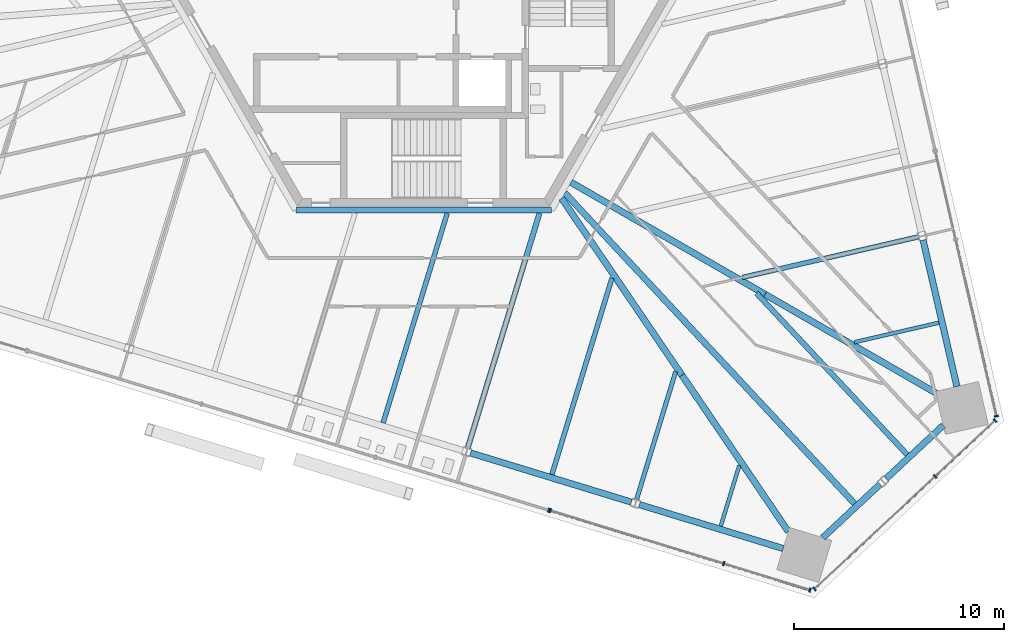
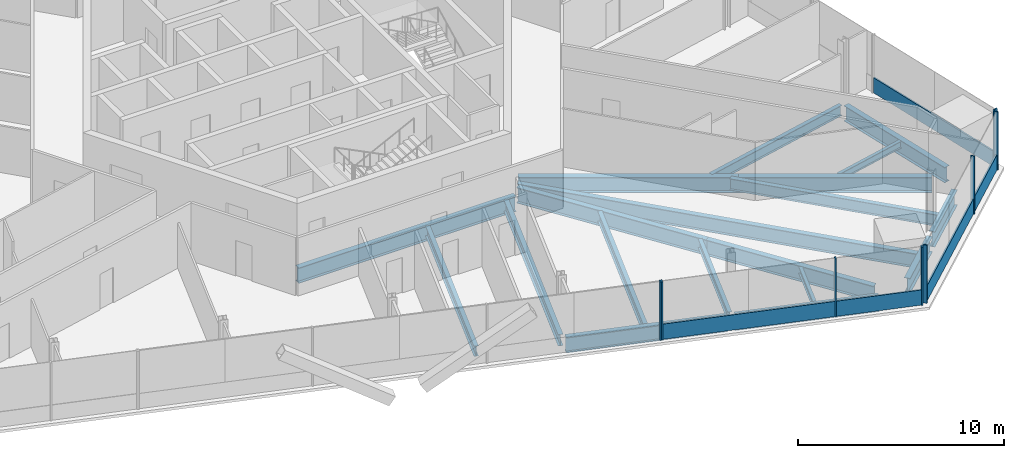
# One storey, part 6 of 20: 19 beams, 13 members, 4 elements without a shape of their own.
"""IFC4 building model written with IfcOpenShell, lengths in metres."""

from ifc_helpers import new_model, si_unit, direction, frame, origin, origin_2d, place, context, subcontext, project, spatial, rectangle, i_section, extrude, source, transform, mapped, material, material_profile, profile_set, type_object, element, aggregate, save


model = new_model("IFC4")

# Units and contexts
model_context = context("Model", 3, precision=1e-05, world=origin(), true_north=direction((0.0, 1.0)))
body_context = subcontext(model_context, "Body", "Model", "MODEL_VIEW")
ifc_project = project(units=[si_unit("LENGTHUNIT", "METRE"), si_unit("AREAUNIT", "SQUARE_METRE"), si_unit("VOLUMEUNIT", "CUBIC_METRE"), si_unit("PLANEANGLEUNIT", "RADIAN"), si_unit("MASSUNIT", "GRAM", prefix="KILO")], contexts=[model_context])

# Site, building, storey
site_placement = place(None, origin())
site = spatial("IfcSite", under=ifc_project, at=site_placement, CompositionType="ELEMENT")
building_placement = place(site_placement, origin())
building = spatial("IfcBuilding", under=site, at=building_placement, Name="Triune Harvest Tower", CompositionType="ELEMENT")
storey_placement = place(building_placement, frame((0.0, 0.0, 116.300048828125)))
storey = spatial("IfcBuildingStorey", under=building, at=storey_placement, Name="L29", CompositionType="ELEMENT", Elevation=116.300048828125)

# Beams
ifc_material_1 = material(Name="Steel ASTM A992 Gr 50", Category="steel")
ifc_material_profile_1 = material_profile(ifc_material_1, i_section(OverallWidth=0.3046875, OverallDepth=0.914306640625, WebThickness=0.0166015625, FlangeThickness=0.02587890625, at=origin_2d()), Name="W36x160")
ifc_profile_set_1 = profile_set([ifc_material_profile_1], Name="Steel ASTM A992 Gr 50")
beam_type_1 = type_object("IfcBeamType", Name="CG-1 Core ring girder W36x160", PredefinedType="BEAM", material=ifc_profile_set_1)
shared_shape_1 = source(origin(), body_context, "Body", "SweptSolid", [
    extrude(i_section(OverallWidth=0.3046875, OverallDepth=0.914306640625, WebThickness=0.0166015625, FlangeThickness=0.02587890625, at=origin_2d()), origin(), (0.0, 0.0, 1.0), 12.17578125),
])
beam_1_placement = place(storey_placement, frame((-6.087890625, -10.544677734375, -0.6171875), z_axis=(1.0, 0.0, 0.0), x_axis=(0.0, 1.0, 0.0)))
element("IfcBeam", 1, at=beam_1_placement, inside=storey, type_object=beam_type_1, Name="beam/L29/CG5", PredefinedType="BEAM", context=body_context, shape_type="MappedRepresentation", body=[
    mapped(shared_shape_1, transform((0.0, 0.0, 0.0), scale=1.0)),
])
ifc_material_2 = material(Name="Steel ASTM A992 Gr 50", Category="steel")
ifc_material_profile_2 = material_profile(ifc_material_2, i_section(OverallWidth=0.307373046875, OverallDepth=0.922119140625, WebThickness=0.018310546875, FlangeThickness=0.030029296875, at=origin_2d()), Name="W36x182")
ifc_profile_set_2 = profile_set([ifc_material_profile_2], Name="Steel ASTM A992 Gr 50")
beam_type_2 = type_object("IfcBeamType", Name="HG-2 Hip girder W36x182", PredefinedType="BEAM", material=ifc_profile_set_2)
shared_shape_2 = source(origin(), body_context, "Body", "SweptSolid", [
    extrude(i_section(OverallWidth=0.307373046875, OverallDepth=0.922119140625, WebThickness=0.018310546875, FlangeThickness=0.030029296875, at=origin_2d()), origin(), (0.0, 0.0, 1.0), 10.681640625),
])
beam_2_placement = place(storey_placement, frame((16.27587890625, -14.56640625, -0.62109375), z_axis=(-0.866023441189, 0.500003399299, 0.0), x_axis=(-0.500003399299, -0.866023441189, 0.0)))
element("IfcBeam", 2, at=beam_2_placement, inside=storey, type_object=beam_type_2, Name="beam/L29/HG2", PredefinedType="BEAM", context=body_context, shape_type="MappedRepresentation", body=[
    mapped(shared_shape_2, transform((0.0, 0.0, 0.0), scale=1.0)),
])
shared_shape_3 = source(origin(), body_context, "Body", "SweptSolid", [
    extrude(i_section(OverallWidth=0.307373046875, OverallDepth=0.922119140625, WebThickness=0.018310546875, FlangeThickness=0.030029296875, at=origin_2d()), origin(), (0.0, 0.0, 1.0), 10.194091796875),
])
beam_3_placement = place(storey_placement, frame((12.31640625, -18.4208984375, -0.62109375), z_axis=(-0.562397141719, 0.826867253545, 0.0), x_axis=(-0.826867253545, -0.562397141719, 0.0)))
element("IfcBeam", 3, at=beam_3_placement, inside=storey, type_object=beam_type_2, Name="beam/L29/HG8", PredefinedType="BEAM", context=body_context, shape_type="MappedRepresentation", body=[
    mapped(shared_shape_3, transform((0.0, 0.0, 0.0), scale=1.0)),
])
ifc_material_3 = material(Name="Steel ASTM A992 Gr 50", Category="steel")
ifc_material_profile_3 = material_profile(ifc_material_3, i_section(OverallWidth=0.3046875, OverallDepth=0.914306640625, WebThickness=0.0166015625, FlangeThickness=0.02587890625, at=origin_2d()), Name="W36x160")
ifc_profile_set_3 = profile_set([ifc_material_profile_3], Name="Steel ASTM A992 Gr 50")
beam_type_3 = type_object("IfcBeamType", Name="SB-1 Spandrel beam W36x160", PredefinedType="SPANDREL", material=ifc_profile_set_3)
shared_shape_4 = source(origin(), body_context, "Body", "SweptSolid", [
    extrude(i_section(OverallWidth=0.3046875, OverallDepth=0.914306640625, WebThickness=0.0166015625, FlangeThickness=0.02587890625, at=origin_2d()), origin(), (0.0, 0.0, 1.0), 7.166259765625),
])
beam_4_placement = place(storey_placement, frame((25.42236328125, -18.96044921875, -0.6171875), z_axis=(-0.224949077026, 0.974370521283, 0.0), x_axis=(-0.974370521283, -0.224949077026, 0.0)))
element("IfcBeam", 4, at=beam_4_placement, inside=storey, type_object=beam_type_3, Name="beam/L29/SB1", PredefinedType="SPANDREL", context=body_context, shape_type="MappedRepresentation", body=[
    mapped(shared_shape_4, transform((0.0, 0.0, 0.0), scale=1.0)),
])
shared_shape_5 = source(origin(), body_context, "Body", "SweptSolid", [
    extrude(i_section(OverallWidth=0.3046875, OverallDepth=0.914306640625, WebThickness=0.0166015625, FlangeThickness=0.02587890625, at=origin_2d()), origin(), (0.0, 0.0, 1.0), 8.01806640625),
])
beam_5_placement = place(storey_placement, frame((2.240966796875, -22.127685546875, -0.6171875), z_axis=(0.956305466934, -0.292369379231, 0.0), x_axis=(0.292369379231, 0.956305466934, 0.0)))
element("IfcBeam", 5, at=beam_5_placement, inside=storey, type_object=beam_type_3, Name="beam/L29/SB21", PredefinedType="SPANDREL", context=body_context, shape_type="MappedRepresentation", body=[
    mapped(shared_shape_5, transform((0.0, 0.0, 0.0), scale=1.0)),
])
shared_shape_6 = source(origin(), body_context, "Body", "SweptSolid", [
    extrude(i_section(OverallWidth=0.3046875, OverallDepth=0.914306640625, WebThickness=0.0166015625, FlangeThickness=0.02587890625, at=origin_2d()), origin(), (0.0, 0.0, 1.0), 7.16650390625),
])
beam_6_placement = place(storey_placement, frame((10.287841796875, -24.587646484375, -0.6171875), z_axis=(0.956296811344, -0.292397689137, 0.0), x_axis=(0.292397689137, 0.956296811344, 0.0)))
element("IfcBeam", 6, at=beam_6_placement, inside=storey, type_object=beam_type_3, Name="beam/L29/SB22", PredefinedType="SPANDREL", context=body_context, shape_type="MappedRepresentation", body=[
    mapped(shared_shape_6, transform((0.0, 0.0, 0.0), scale=1.0)),
])
shared_shape_7 = source(origin(), body_context, "Body", "SweptSolid", [
    extrude(i_section(OverallWidth=0.3046875, OverallDepth=0.914306640625, WebThickness=0.0166015625, FlangeThickness=0.02587890625, at=origin_2d()), origin(), (0.0, 0.0, 1.0), 3.72607421875),
])
beam_7_placement = place(storey_placement, frame((19.03173828125, -26.1630859375, -0.6171875), z_axis=(0.731344988612, 0.682007703499, 0.0), x_axis=(-0.682007703499, 0.731344988612, 0.0)))
element("IfcBeam", 7, at=beam_7_placement, inside=storey, type_object=beam_type_3, Name="beam/L29/SB23", PredefinedType="SPANDREL", context=body_context, shape_type="MappedRepresentation", body=[
    mapped(shared_shape_7, transform((0.0, 0.0, 0.0), scale=1.0)),
])
shared_shape_8 = source(origin(), body_context, "Body", "SweptSolid", [
    extrude(i_section(OverallWidth=0.3046875, OverallDepth=0.914306640625, WebThickness=0.0166015625, FlangeThickness=0.02587890625, at=origin_2d()), origin(), (0.0, 0.0, 1.0), 3.726318359375),
])
beam_8_placement = place(storey_placement, frame((22.046630859375, -23.351806640625, -0.6171875), z_axis=(0.731375462482, 0.681975023647, 0.0), x_axis=(-0.681975023647, 0.731375462482, 0.0)))
element("IfcBeam", 8, at=beam_8_placement, inside=storey, type_object=beam_type_3, Name="beam/L29/SB24", PredefinedType="SPANDREL", context=body_context, shape_type="MappedRepresentation", body=[
    mapped(shared_shape_8, transform((0.0, 0.0, 0.0), scale=1.0)),
])
shared_shape_9 = source(origin(), body_context, "Body", "SweptSolid", [
    extrude(i_section(OverallWidth=0.307373046875, OverallDepth=0.922119140625, WebThickness=0.018310546875, FlangeThickness=0.030029296875, at=origin_2d()), origin(), (0.0, 0.0, 1.0), 9.3984375),
])
beam_9_placement = place(storey_placement, frame((24.415283203125, -19.265625, -0.62109375), z_axis=(-0.866028560268, 0.49999453277, 0.0), x_axis=(-0.49999453277, -0.866028560268, 0.0)))
element("IfcBeam", 9, at=beam_9_placement, inside=storey, type_object=beam_type_2, Name="beam/L29/HG1", PredefinedType="BEAM", context=body_context, shape_type="MappedRepresentation", body=[
    mapped(shared_shape_9, transform((0.0, 0.0, 0.0), scale=1.0)),
])
shared_shape_10 = source(origin(), body_context, "Body", "SweptSolid", [
    extrude(i_section(OverallWidth=0.307373046875, OverallDepth=0.922119140625, WebThickness=0.018310546875, FlangeThickness=0.030029296875, at=origin_2d()), origin(), (0.0, 0.0, 1.0), 9.0166015625),
])
beam_10_placement = place(storey_placement, frame((17.3876953125, -25.876220703125, -0.62109375), z_axis=(-0.562436658991, 0.826840374331, 0.0), x_axis=(-0.826840374331, -0.562436658991, 0.0)))
element("IfcBeam", 10, at=beam_10_placement, inside=storey, type_object=beam_type_2, Name="beam/L29/HG7", PredefinedType="BEAM", context=body_context, shape_type="MappedRepresentation", body=[
    mapped(shared_shape_10, transform((0.0, 0.0, 0.0), scale=1.0)),
])
ifc_material_4 = material(Name="Steel ASTM A992 Gr 50", Category="steel")
ifc_material_profile_4 = material_profile(ifc_material_4, i_section(OverallWidth=0.180908203125, OverallDepth=0.41650390625, WebThickness=0.010986328125, FlangeThickness=0.01806640625, at=origin_2d()), Name="W16x57")
ifc_profile_set_4 = profile_set([ifc_material_profile_4], Name="Steel ASTM A992 Gr 50")
beam_type_4 = type_object("IfcBeamType", Name="JT-1 Floor joist W16x57", PredefinedType="JOIST", material=ifc_profile_set_4)
shared_shape_11 = source(origin(), body_context, "Body", "SweptSolid", [
    extrude(i_section(OverallWidth=0.180908203125, OverallDepth=0.41650390625, WebThickness=0.010986328125, FlangeThickness=0.01806640625, at=origin_2d()), origin(), (0.0, 0.0, 1.0), 4.1337890625),
])
beam_11_placement = place(storey_placement, frame((24.563720703125, -15.91845703125, -0.368408203125), z_axis=(-0.974368296684, -0.224958712697, 0.0), x_axis=(0.224958712697, -0.974368296684, 0.0)))
element("IfcBeam", 11, at=beam_11_placement, inside=storey, type_object=beam_type_4, Name="beam/L29/JT1", PredefinedType="JOIST", context=body_context, shape_type="MappedRepresentation", body=[
    mapped(shared_shape_11, transform((0.0, 0.0, 0.0), scale=1.0)),
])
ifc_material_5 = material(Name="Steel ASTM A992 Gr 50", Category="steel")
ifc_material_profile_5 = material_profile(ifc_material_5, i_section(OverallWidth=0.22900390625, OverallDepth=0.612060546875, WebThickness=0.011962890625, FlangeThickness=0.01953125, at=origin_2d()), Name="W24x84")
ifc_profile_set_5 = profile_set([ifc_material_profile_5], Name="Steel ASTM A992 Gr 50")
beam_type_5 = type_object("IfcBeamType", Name="JT-3 Floor joist W24x84", PredefinedType="JOIST", material=ifc_profile_set_5)
shared_shape_12 = source(origin(), body_context, "Body", "SweptSolid", [
    extrude(i_section(OverallWidth=0.22900390625, OverallDepth=0.612060546875, WebThickness=0.011962890625, FlangeThickness=0.01953125, at=origin_2d()), origin(), (0.0, 0.0, 1.0), 8.607421875),
])
beam_12_placement = place(storey_placement, frame((23.580078125, -11.82763671875, -0.466064453125), z_axis=(-0.97436872252, -0.224956868255, 0.0), x_axis=(0.224956868255, -0.97436872252, 0.0)))
element("IfcBeam", 12, at=beam_12_placement, inside=storey, type_object=beam_type_5, Name="beam/L29/JT2", PredefinedType="JOIST", context=body_context, shape_type="MappedRepresentation", body=[
    mapped(shared_shape_12, transform((0.0, 0.0, 0.0), scale=1.0)),
])
shared_shape_13 = source(origin(), body_context, "Body", "SweptSolid", [
    extrude(i_section(OverallWidth=0.22900390625, OverallDepth=0.612060546875, WebThickness=0.011962890625, FlangeThickness=0.01953125, at=origin_2d()), origin(), (0.0, 0.0, 1.0), 10.45361328125),
])
beam_13_placement = place(storey_placement, frame((-1.92724609375, -20.69384765625, -0.466064453125), z_axis=(0.29235559587, 0.956309680785, 0.0), x_axis=(-0.956309680785, 0.29235559587, 0.0)))
element("IfcBeam", 13, at=beam_13_placement, inside=storey, type_object=beam_type_5, Name="beam/L29/JT33", PredefinedType="JOIST", context=body_context, shape_type="MappedRepresentation", body=[
    mapped(shared_shape_13, transform((0.0, 0.0, 0.0), scale=1.0)),
])
shared_shape_14 = source(origin(), body_context, "Body", "SweptSolid", [
    extrude(i_section(OverallWidth=0.22900390625, OverallDepth=0.612060546875, WebThickness=0.011962890625, FlangeThickness=0.01953125, at=origin_2d()), origin(), (0.0, 0.0, 1.0), 9.790283203125),
])
beam_14_placement = place(storey_placement, frame((6.119384765625, -23.154052734375, -0.466064453125), z_axis=(0.292383884863, 0.956301032036, 0.0), x_axis=(-0.956301032036, 0.292383884863, 0.0)))
element("IfcBeam", 14, at=beam_14_placement, inside=storey, type_object=beam_type_5, Name="beam/L29/JT35", PredefinedType="JOIST", context=body_context, shape_type="MappedRepresentation", body=[
    mapped(shared_shape_14, transform((0.0, 0.0, 0.0), scale=1.0)),
])
ifc_material_6 = material(Name="Steel ASTM A992 Gr 50", Category="steel")
ifc_material_profile_6 = material_profile(ifc_material_6, i_section(OverallWidth=0.253662109375, OverallDepth=0.683349609375, WebThickness=0.012451171875, FlangeThickness=0.01904296875, at=origin_2d()), Name="W27x94")
ifc_profile_set_6 = profile_set([ifc_material_profile_6], Name="Steel ASTM A992 Gr 50")
beam_type_6 = type_object("IfcBeamType", Name="JT-4 Floor joist W27x94", PredefinedType="JOIST", material=ifc_profile_set_6)
shared_shape_15 = source(origin(), body_context, "Body", "SweptSolid", [
    extrude(i_section(OverallWidth=0.253662109375, OverallDepth=0.683349609375, WebThickness=0.012451171875, FlangeThickness=0.01904296875, at=origin_2d()), origin(), (0.0, 0.0, 1.0), 11.70166015625),
])
beam_15_placement = place(storey_placement, frame((2.107177734375, -21.887451171875, -0.501708984375), z_axis=(0.292381788251, 0.956301673061, 0.0), x_axis=(-0.956301673061, 0.292381788251, 0.0)))
element("IfcBeam", 15, at=beam_15_placement, inside=storey, type_object=beam_type_6, Name="beam/L29/JT34", PredefinedType="JOIST", context=body_context, shape_type="MappedRepresentation", body=[
    mapped(shared_shape_15, transform((0.0, 0.0, 0.0), scale=1.0)),
])
ifc_material_7 = material(Name="Steel ASTM A992 Gr 50", Category="steel")
ifc_material_profile_7 = material_profile(ifc_material_7, i_section(OverallWidth=0.2099609375, OverallDepth=0.535888671875, WebThickness=0.010986328125, FlangeThickness=0.017333984375, at=origin_2d()), Name="W21x68")
ifc_profile_set_7 = profile_set([ifc_material_profile_7], Name="Steel ASTM A992 Gr 50")
beam_type_7 = type_object("IfcBeamType", Name="JT-2 Floor joist W21x68", PredefinedType="JOIST", material=ifc_profile_set_7)
shared_shape_16 = source(origin(), body_context, "Body", "SweptSolid", [
    extrude(i_section(OverallWidth=0.2099609375, OverallDepth=0.535888671875, WebThickness=0.010986328125, FlangeThickness=0.017333984375, at=origin_2d()), origin(), (0.0, 0.0, 1.0), 6.3720703125),
])
beam_16_placement = place(storey_placement, frame((10.154052734375, -24.34765625, -0.427978515625), z_axis=(0.292370379947, 0.956305160986, 0.0), x_axis=(-0.956305160986, 0.292370379947, 0.0)))
element("IfcBeam", 16, at=beam_16_placement, inside=storey, type_object=beam_type_7, Name="beam/L29/JT36", PredefinedType="JOIST", context=body_context, shape_type="MappedRepresentation", body=[
    mapped(shared_shape_16, transform((0.0, 0.0, 0.0), scale=1.0)),
])
ifc_material_8 = material(Name="Steel ASTM A992 Gr 50", Category="steel")
ifc_material_profile_8 = material_profile(ifc_material_8, i_section(OverallWidth=0.2919921875, OverallDepth=0.8583984375, WebThickness=0.01708984375, FlangeThickness=0.031005859375, at=origin_2d()), Name="W33x169")
ifc_profile_set_8 = profile_set([ifc_material_profile_8], Name="Steel ASTM A992 Gr 50")
beam_type_8 = type_object("IfcBeamType", Name="JT-7 Floor joist W33x169", PredefinedType="JOIST", material=ifc_profile_set_8)
shared_shape_17 = source(origin(), body_context, "Body", "SweptSolid", [
    extrude(i_section(OverallWidth=0.2919921875, OverallDepth=0.8583984375, WebThickness=0.01708984375, FlangeThickness=0.031005859375, at=origin_2d()), origin(), (0.0, 0.0, 1.0), 20.25244140625),
])
beam_17_placement = place(storey_placement, frame((20.545654296875, -24.54296875, -0.58935546875), z_axis=(-0.681993474081, 0.73135825784, 0.0), x_axis=(-0.73135825784, -0.681993474081, 0.0)))
element("IfcBeam", 17, at=beam_17_placement, inside=storey, type_object=beam_type_8, Name="beam/L29/JT38", PredefinedType="JOIST", context=body_context, shape_type="MappedRepresentation", body=[
    mapped(shared_shape_17, transform((0.0, 0.0, 0.0), scale=1.0)),
])
shared_shape_18 = source(origin(), body_context, "Body", "SweptSolid", [
    extrude(i_section(OverallWidth=0.253662109375, OverallDepth=0.683349609375, WebThickness=0.012451171875, FlangeThickness=0.01904296875, at=origin_2d()), origin(), (0.0, 0.0, 1.0), 10.52294921875),
])
beam_18_placement = place(storey_placement, frame((23.05029296875, -22.20751953125, -0.501708984375), z_axis=(-0.682013989315, 0.731339126793, 0.0), x_axis=(-0.731339126793, -0.682013989315, 0.0)))
element("IfcBeam", 18, at=beam_18_placement, inside=storey, type_object=beam_type_6, Name="beam/L29/JT39", PredefinedType="JOIST", context=body_context, shape_type="MappedRepresentation", body=[
    mapped(shared_shape_18, transform((0.0, 0.0, 0.0), scale=1.0)),
])
shared_shape_19 = source(origin(), body_context, "Body", "SweptSolid", [
    extrude(i_section(OverallWidth=0.180908203125, OverallDepth=0.41650390625, WebThickness=0.010986328125, FlangeThickness=0.01806640625, at=origin_2d()), origin(), (0.0, 0.0, 1.0), 3.030029296875),
])
beam_19_placement = place(storey_placement, frame((14.166259765625, -25.614013671875, -0.368408203125), z_axis=(0.2923925234, 0.956298390807, 0.0), x_axis=(-0.956298390807, 0.2923925234, 0.0)))
element("IfcBeam", 19, at=beam_19_placement, inside=storey, type_object=beam_type_4, Name="beam/L29/JT37", PredefinedType="JOIST", context=body_context, shape_type="MappedRepresentation", body=[
    mapped(shared_shape_19, transform((0.0, 0.0, 0.0), scale=1.0)),
])

# Curtain wall, member
ifc_material_9 = material(Name="Aluminium bronze anodised", Category="aluminium")
curtain_wall_type_1 = type_object("IfcCurtainWallType", Name="CW-1 Tower stick curtain wall", PredefinedType="NOTDEFINED", material=ifc_material_9)
curtain_wall_1_placement = place(storey_placement, origin())
curtain_wall_1 = element("IfcCurtainWall", 20, at=curtain_wall_1_placement, inside=storey, type_object=curtain_wall_type_1, Name="CW-1 B3-F1 L29 run 1")
ifc_material_10 = material(Name="Aluminium bronze anodised", Category="aluminium")
ifc_material_profile_9 = material_profile(ifc_material_10, rectangle(XDim=0.199951171875, YDim=0.074951171875, at=origin_2d()), Name="MU-1 mullion 75 x 200")
ifc_profile_set_9 = profile_set([ifc_material_profile_9], Name="Aluminium bronze anodised")
member_type_1 = type_object("IfcMemberType", Name="MU-1 mullion 75 x 200", PredefinedType="MULLION", material=ifc_profile_set_9)
shared_shape_20 = source(origin(), body_context, "Body", "SweptSolid", [
    extrude(rectangle(XDim=0.199951171875, YDim=0.074951171875, at=origin_2d()), origin(), (0.0, 0.0, 1.0), 3.43994140625),
])
member_1_placement = place(storey_placement, frame((27.306884765625, -20.3720703125, 0.0), z_axis=(0.0, 0.0, 1.0), x_axis=(-0.974370100513, -0.22495089959, 0.0)))
member_1 = element("IfcMember", 21, at=member_1_placement, type_object=member_type_1, Name="CW-1 mullion B3-F1 1.1", PredefinedType="MULLION", context=body_context, shape_type="MappedRepresentation", body=[
    mapped(shared_shape_20, transform((0.0, 0.0, 0.0), scale=1.0)),
])

ifc_material_11 = material(Name="Aluminium bronze anodised", Category="aluminium")
curtain_wall_type_2 = type_object("IfcCurtainWallType", Name="CW-7 Tower stick curtain wall with insulated spandrel infill", PredefinedType="NOTDEFINED", material=ifc_material_11)
curtain_wall_2_placement = place(storey_placement, origin())
curtain_wall_2 = element("IfcCurtainWall", 22, at=curtain_wall_2_placement, inside=storey, type_object=curtain_wall_type_2, Name="CW-7 B3-F5 L29 run 1001")
member_2_placement = place(storey_placement, frame((5.97119140625, -24.856201171875, 0.0), z_axis=(0.0, 0.0, 1.0), x_axis=(0.292373035069, 0.956304349234, 0.0)))
member_2 = element("IfcMember", 23, at=member_2_placement, type_object=member_type_1, Name="CW-7 mullion B3-F5 1001.7", PredefinedType="MULLION", context=body_context, shape_type="MappedRepresentation", body=[
    mapped(shared_shape_20, transform((0.0, 0.0, 0.0), scale=1.0)),
])
aggregate(curtain_wall_2, [member_2])

# Curtain wall, members
curtain_wall_3_placement = place(storey_placement, origin())
curtain_wall_3 = element("IfcCurtainWall", 24, at=curtain_wall_3_placement, inside=storey, type_object=curtain_wall_type_1, Name="CW-1 B3-F5 L29 run 2001")
member_3_placement = place(storey_placement, frame((6.04296875, -24.878173828125, 0.0), z_axis=(0.0, 0.0, 1.0), x_axis=(0.292373817276, 0.956304110088, 0.0)))
member_3 = element("IfcMember", 25, at=member_3_placement, type_object=member_type_1, Name="CW-1 mullion B3-F5 2001.1", PredefinedType="MULLION", context=body_context, shape_type="MappedRepresentation", body=[
    mapped(shared_shape_20, transform((0.0, 0.0, 0.0), scale=1.0)),
])
member_4_placement = place(storey_placement, frame((14.3046875, -27.404052734375, 0.0), z_axis=(0.0, 0.0, 1.0), x_axis=(0.292373817276, 0.956304110088, 0.0)))
member_4 = element("IfcMember", 26, at=member_4_placement, type_object=member_type_1, Name="CW-1 mullion B3-F5 2001.3", PredefinedType="MULLION", context=body_context, shape_type="MappedRepresentation", body=[
    mapped(shared_shape_20, transform((0.0, 0.0, 0.0), scale=1.0)),
])
member_5_placement = place(storey_placement, frame((18.417724609375, -28.661376953125, 0.0), z_axis=(0.0, 0.0, 1.0), x_axis=(0.292373817276, 0.956304110088, 0.0)))
member_5 = element("IfcMember", 27, at=member_5_placement, type_object=member_type_1, Name="CW-1 mullion B3-F5 2001.4", PredefinedType="MULLION", context=body_context, shape_type="MappedRepresentation", body=[
    mapped(shared_shape_20, transform((0.0, 0.0, 0.0), scale=1.0)),
])

curtain_wall_4_placement = place(storey_placement, origin())
curtain_wall_4 = element("IfcCurtainWall", 28, at=curtain_wall_4_placement, inside=storey, type_object=curtain_wall_type_1, Name="CW-1 B3-F6 L29 run 1")
member_6_placement = place(storey_placement, frame((18.6328125, -28.61181640625, 0.0), z_axis=(0.0, 0.0, 1.0), x_axis=(-0.682002387287, 0.731349946151, 0.0)))
member_6 = element("IfcMember", 29, at=member_6_placement, type_object=member_type_1, Name="CW-1 mullion B3-F6 1.1", PredefinedType="MULLION", context=body_context, shape_type="MappedRepresentation", body=[
    mapped(shared_shape_20, transform((0.0, 0.0, 0.0), scale=1.0)),
])
member_7_placement = place(storey_placement, frame((24.381591796875, -23.2509765625, 0.0), z_axis=(0.0, 0.0, 1.0), x_axis=(-0.682002387287, 0.731349946151, 0.0)))
member_7 = element("IfcMember", 30, at=member_7_placement, type_object=member_type_1, Name="CW-1 mullion B3-F6 1.3", PredefinedType="MULLION", context=body_context, shape_type="MappedRepresentation", body=[
    mapped(shared_shape_20, transform((0.0, 0.0, 0.0), scale=1.0)),
])
member_8_placement = place(storey_placement, frame((27.2421875, -20.583251953125, 0.0), z_axis=(0.0, 0.0, 1.0), x_axis=(-0.682002387287, 0.731349946151, 0.0)))
member_8 = element("IfcMember", 31, at=member_8_placement, type_object=member_type_1, Name="CW-1 mullion B3-F6 1.4", PredefinedType="MULLION", context=body_context, shape_type="MappedRepresentation", body=[
    mapped(shared_shape_20, transform((0.0, 0.0, 0.0), scale=1.0)),
])
ifc_material_12 = material(Name="Aluminium bronze anodised", Category="aluminium")
ifc_material_profile_10 = material_profile(ifc_material_12, rectangle(XDim=0.090087890625, YDim=0.89990234375, at=origin_2d()), Name="TR-1 transom 90 x 900")
ifc_profile_set_10 = profile_set([ifc_material_profile_10], Name="Aluminium bronze anodised")
member_type_2 = type_object("IfcMemberType", Name="TR-1 transom 90 x 900", PredefinedType="USERDEFINED", material=ifc_profile_set_10)
shared_shape_21 = source(origin(), body_context, "Body", "SweptSolid", [
    extrude(rectangle(XDim=0.090087890625, YDim=0.89990234375, at=origin_2d()), origin(), (0.0, 0.0, 1.0), 7.78564453125),
])
member_9_placement = place(storey_placement, frame((18.66015625, -28.586181640625, 0.449951171875), z_axis=(0.731354473546, 0.681997532271, 0.0), x_axis=(-0.681997532271, 0.731354473546, 0.0)))
member_9 = element("IfcMember", 32, at=member_9_placement, type_object=member_type_2, Name="CW-1 transom B3-F6 1.1", ObjectType="TRANSOM", PredefinedType="USERDEFINED", context=body_context, shape_type="MappedRepresentation", body=[
    mapped(shared_shape_21, transform((0.0, 0.0, 0.0), scale=1.0)),
])
shared_shape_22 = source(origin(), body_context, "Body", "SweptSolid", [
    extrude(rectangle(XDim=0.090087890625, YDim=0.89990234375, at=origin_2d()), origin(), (0.0, 0.0, 1.0), 3.83642578125),
])
member_10_placement = place(storey_placement, frame((24.408935546875, -23.225341796875, 0.449951171875), z_axis=(0.73136626704, 0.681984885049, 0.0), x_axis=(-0.681984885049, 0.73136626704, 0.0)))
member_10 = element("IfcMember", 33, at=member_10_placement, type_object=member_type_2, Name="CW-1 transom B3-F6 1.2", ObjectType="TRANSOM", PredefinedType="USERDEFINED", context=body_context, shape_type="MappedRepresentation", body=[
    mapped(shared_shape_22, transform((0.0, 0.0, 0.0), scale=1.0)),
])
aggregate(curtain_wall_4, [member_6, member_7, member_8, member_9, member_10])

# Member
shared_shape_23 = source(origin(), body_context, "Body", "SweptSolid", [
    extrude(rectangle(XDim=0.090087890625, YDim=0.89990234375, at=origin_2d()), origin(), (0.0, 0.0, 1.0), 8.564208984375),
])
member_11_placement = place(storey_placement, frame((27.29833984375, -20.33544921875, 0.449951171875), z_axis=(-0.224949030659, 0.974370531988, 0.0), x_axis=(-0.974370531988, -0.224949030659, 0.0)))
member_11 = element("IfcMember", 34, at=member_11_placement, type_object=member_type_2, Name="CW-1 transom B3-F1 1.1", ObjectType="TRANSOM", PredefinedType="USERDEFINED", context=body_context, shape_type="MappedRepresentation", body=[
    mapped(shared_shape_23, transform((0.0, 0.0, 0.0), scale=1.0)),
])

aggregate(curtain_wall_1, [member_1, member_11])

member_12_placement = place(storey_placement, frame((6.078857421875, -24.888916015625, 0.449951171875), z_axis=(0.956297115468, -0.29239669449, 0.0), x_axis=(0.29239669449, 0.956297115468, 0.0)))
member_12 = element("IfcMember", 35, at=member_12_placement, type_object=member_type_2, Name="CW-1 transom B3-F5 2001.1", ObjectType="TRANSOM", PredefinedType="USERDEFINED", context=body_context, shape_type="MappedRepresentation", body=[
    mapped(shared_shape_23, transform((0.0, 0.0, 0.0), scale=1.0)),
])

shared_shape_24 = source(origin(), body_context, "Body", "SweptSolid", [
    extrude(rectangle(XDim=0.090087890625, YDim=0.89990234375, at=origin_2d()), origin(), (0.0, 0.0, 1.0), 4.225830078125),
])
member_13_placement = place(storey_placement, frame((14.340576171875, -27.4150390625, 0.449951171875), z_axis=(0.956317031021, -0.292331551801, 0.0), x_axis=(0.292331551801, 0.956317031021, 0.0)))
member_13 = element("IfcMember", 36, at=member_13_placement, type_object=member_type_2, Name="CW-1 transom B3-F5 2001.2", ObjectType="TRANSOM", PredefinedType="USERDEFINED", context=body_context, shape_type="MappedRepresentation", body=[
    mapped(shared_shape_24, transform((0.0, 0.0, 0.0), scale=1.0)),
])

aggregate(curtain_wall_3, [member_3, member_4, member_5, member_12, member_13])

save(model, "model.ifc")
